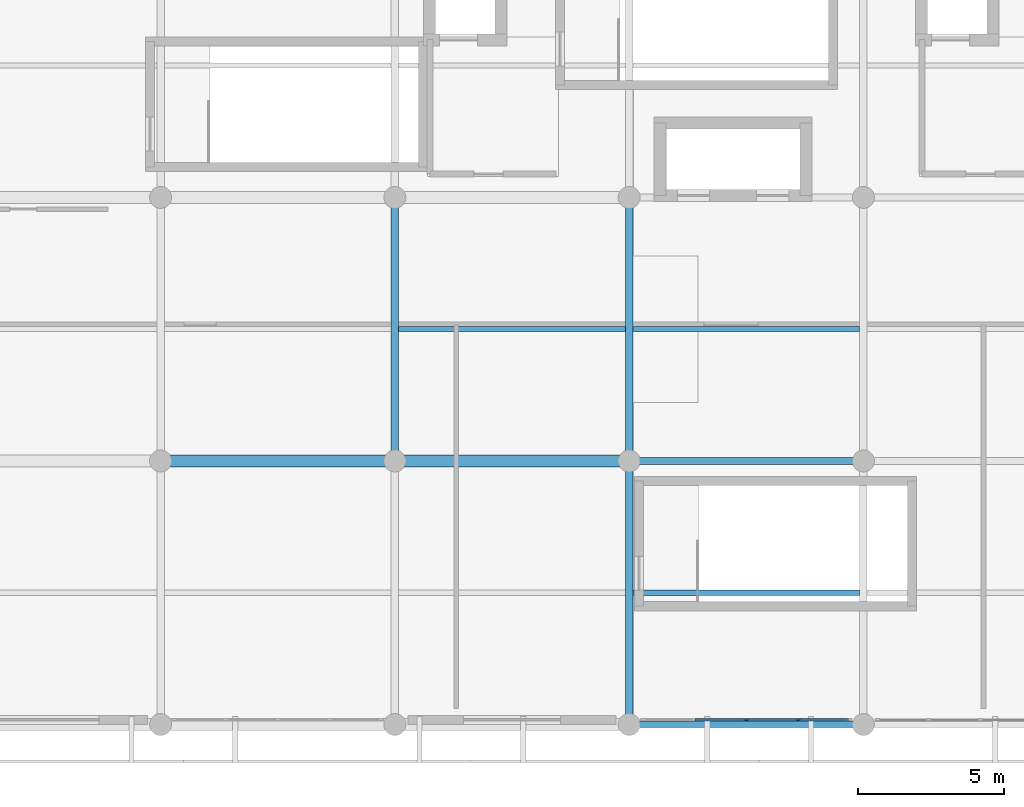
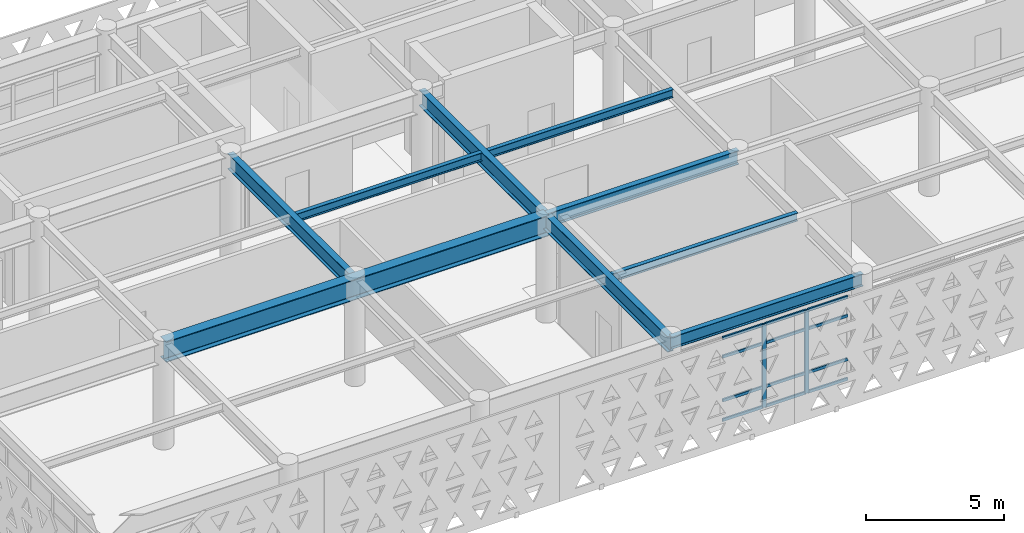
# One storey, part 4 of 26: 14 members, 9 beams, 1 element without a shape of its own.
"""IFC4 building model written with IfcOpenShell, lengths in metres."""

from ifc_helpers import new_model, si_unit, direction, frame, origin, origin_2d, place, context, subcontext, project, spatial, rectangle, i_section, extrude, material, layer, layer_set, material_profile, profile_set, type_object, element, aggregate, save


model = new_model("IFC4")

# Units and contexts
model_context = context("Model", 3, precision=1e-05, world=origin(), true_north=direction((0.0, 1.0)))
body_context = subcontext(model_context, "Body", "Model", "MODEL_VIEW")
ifc_project = project(units=[si_unit("LENGTHUNIT", "METRE"), si_unit("AREAUNIT", "SQUARE_METRE"), si_unit("VOLUMEUNIT", "CUBIC_METRE"), si_unit("PLANEANGLEUNIT", "RADIAN"), si_unit("MASSUNIT", "GRAM", prefix="KILO")], contexts=[model_context])

# Site, building, storey
site_placement = place(None, origin())
site = spatial("IfcSite", under=ifc_project, at=site_placement, CompositionType="ELEMENT")
building_placement = place(site_placement, origin())
building = spatial("IfcBuilding", under=site, at=building_placement, Name="Tlacozan Convention Centre", CompositionType="ELEMENT")
storey_placement = place(building_placement, frame((0.0, 0.0, 21.0)))
storey = spatial("IfcBuildingStorey", under=building, at=storey_placement, Name="L04", CompositionType="ELEMENT", Elevation=21.0)

# Curtain wall, members
ifc_material_1 = material(Name="Dark Bronze Anodised Aluminium", Category="aluminium")
ifc_layer = layer(ifc_material_1, 0.159912109375)
ifc_layer_set = layer_set([ifc_layer], Name="Dark Bronze Anodised Aluminium")
curtain_wall_type = type_object("IfcCurtainWallType", Name="Unitised Congress L04 South CW05", PredefinedType="NOTDEFINED", material=ifc_layer_set)
curtain_wall_placement = place(storey_placement, origin())
curtain_wall = element("IfcCurtainWall", 1, at=curtain_wall_placement, inside=storey, type_object=curtain_wall_type, Name="L04 CW-05 Run 125", PredefinedType="NOTDEFINED")
ifc_material_profile_1 = material_profile(ifc_material_1, rectangle(XDim=0.06494140625, YDim=0.159912109375, at=origin_2d()), Name="ALU 65x160")
ifc_profile_set_1 = profile_set([ifc_material_profile_1], Name="Dark Bronze Anodised Aluminium")
member_type_1 = type_object("IfcMemberType", Name="Curtain Wall Mullion 65x160", PredefinedType="MULLION", material=ifc_profile_set_1)
member_1_placement = place(storey_placement, frame((28.0, 0.159912109375, 0.0), z_axis=(0.0, 0.0, 1.0), x_axis=(0.0, 1.0, 0.0)))
member_1 = element("IfcMember", 2, at=member_1_placement, type_object=member_type_1, Name="CW-05 mullion 3", PredefinedType="MULLION", context=body_context, shape_type="SweptSolid", body=[
    extrude(rectangle(XDim=0.06494140625, YDim=0.159912109375, at=origin_2d()), origin(), (0.0, 0.0, 1.0), 3.679931640625),
])
member_2_placement = place(storey_placement, frame((29.77490234375, 0.159912109375, 0.0), z_axis=(0.0, 0.0, 1.0), x_axis=(0.0, 1.0, 0.0)))
member_2 = element("IfcMember", 3, at=member_2_placement, type_object=member_type_1, Name="CW-05 mullion 4", PredefinedType="MULLION", context=body_context, shape_type="SweptSolid", body=[
    extrude(rectangle(XDim=0.06494140625, YDim=0.159912109375, at=origin_2d()), origin(), (0.0, 0.0, 1.0), 3.679931640625),
])
ifc_material_profile_2 = material_profile(ifc_material_1, rectangle(XDim=0.06494140625, YDim=0.125, at=origin_2d()), Name="ALU 65x125")
ifc_profile_set_2 = profile_set([ifc_material_profile_2], Name="Dark Bronze Anodised Aluminium")
member_type_2 = type_object("IfcMemberType", Name="Curtain Wall Transom 65x125", PredefinedType="USERDEFINED", material=ifc_profile_set_2)
member_3_placement = place(storey_placement, frame((26.257568359375, 0.159912109375, 0.032470703125), z_axis=(1.0, 0.0, 0.0), x_axis=(0.0, 1.0, 0.0)))
member_3 = element("IfcMember", 4, at=member_3_placement, type_object=member_type_2, Name="CW-05 transom 2.1", ObjectType="TRANSOM", PredefinedType="USERDEFINED", context=body_context, shape_type="SweptSolid", body=[
    extrude(rectangle(XDim=0.06494140625, YDim=0.125, at=origin_2d()), origin(), (0.0, 0.0, 1.0), 1.7099609375),
])
member_4_placement = place(storey_placement, frame((26.257568359375, 0.159912109375, 0.89990234375), z_axis=(1.0, 0.0, 0.0), x_axis=(0.0, 1.0, 0.0)))
member_4 = element("IfcMember", 5, at=member_4_placement, type_object=member_type_2, Name="CW-05 transom 2.2", ObjectType="TRANSOM", PredefinedType="USERDEFINED", context=body_context, shape_type="SweptSolid", body=[
    extrude(rectangle(XDim=0.06494140625, YDim=0.125, at=origin_2d()), origin(), (0.0, 0.0, 1.0), 1.7099609375),
])
member_5_placement = place(storey_placement, frame((26.257568359375, 0.159912109375, 2.830078125), z_axis=(1.0, 0.0, 0.0), x_axis=(0.0, 1.0, 0.0)))
member_5 = element("IfcMember", 6, at=member_5_placement, type_object=member_type_2, Name="CW-05 transom 2.3", ObjectType="TRANSOM", PredefinedType="USERDEFINED", context=body_context, shape_type="SweptSolid", body=[
    extrude(rectangle(XDim=0.06494140625, YDim=0.125, at=origin_2d()), origin(), (0.0, 0.0, 1.0), 1.7099609375),
])
member_6_placement = place(storey_placement, frame((26.257568359375, 0.159912109375, 3.6474609375), z_axis=(1.0, 0.0, 0.0), x_axis=(0.0, 1.0, 0.0)))
member_6 = element("IfcMember", 7, at=member_6_placement, type_object=member_type_2, Name="CW-05 transom 2.4", ObjectType="TRANSOM", PredefinedType="USERDEFINED", context=body_context, shape_type="SweptSolid", body=[
    extrude(rectangle(XDim=0.06494140625, YDim=0.125, at=origin_2d()), origin(), (0.0, 0.0, 1.0), 1.7099609375),
])
member_7_placement = place(storey_placement, frame((28.032470703125, 0.159912109375, 0.032470703125), z_axis=(1.0, 0.0, 0.0), x_axis=(0.0, 1.0, 0.0)))
member_7 = element("IfcMember", 8, at=member_7_placement, type_object=member_type_2, Name="CW-05 transom 3.1", ObjectType="TRANSOM", PredefinedType="USERDEFINED", context=body_context, shape_type="SweptSolid", body=[
    extrude(rectangle(XDim=0.06494140625, YDim=0.125, at=origin_2d()), origin(), (0.0, 0.0, 1.0), 1.7099609375),
])
member_8_placement = place(storey_placement, frame((28.032470703125, 0.159912109375, 0.89990234375), z_axis=(1.0, 0.0, 0.0), x_axis=(0.0, 1.0, 0.0)))
member_8 = element("IfcMember", 9, at=member_8_placement, type_object=member_type_2, Name="CW-05 transom 3.2", ObjectType="TRANSOM", PredefinedType="USERDEFINED", context=body_context, shape_type="SweptSolid", body=[
    extrude(rectangle(XDim=0.06494140625, YDim=0.125, at=origin_2d()), origin(), (0.0, 0.0, 1.0), 1.7099609375),
])
member_9_placement = place(storey_placement, frame((28.032470703125, 0.159912109375, 2.830078125), z_axis=(1.0, 0.0, 0.0), x_axis=(0.0, 1.0, 0.0)))
member_9 = element("IfcMember", 10, at=member_9_placement, type_object=member_type_2, Name="CW-05 transom 3.3", ObjectType="TRANSOM", PredefinedType="USERDEFINED", context=body_context, shape_type="SweptSolid", body=[
    extrude(rectangle(XDim=0.06494140625, YDim=0.125, at=origin_2d()), origin(), (0.0, 0.0, 1.0), 1.7099609375),
])
member_10_placement = place(storey_placement, frame((28.032470703125, 0.159912109375, 3.6474609375), z_axis=(1.0, 0.0, 0.0), x_axis=(0.0, 1.0, 0.0)))
member_10 = element("IfcMember", 11, at=member_10_placement, type_object=member_type_2, Name="CW-05 transom 3.4", ObjectType="TRANSOM", PredefinedType="USERDEFINED", context=body_context, shape_type="SweptSolid", body=[
    extrude(rectangle(XDim=0.06494140625, YDim=0.125, at=origin_2d()), origin(), (0.0, 0.0, 1.0), 1.7099609375),
])
member_11_placement = place(storey_placement, frame((29.8076171875, 0.159912109375, 0.032470703125), z_axis=(1.0, 0.0, 0.0), x_axis=(0.0, 1.0, 0.0)))
member_11 = element("IfcMember", 12, at=member_11_placement, type_object=member_type_2, Name="CW-05 transom 4.1", ObjectType="TRANSOM", PredefinedType="USERDEFINED", context=body_context, shape_type="SweptSolid", body=[
    extrude(rectangle(XDim=0.06494140625, YDim=0.125, at=origin_2d()), origin(), (0.0, 0.0, 1.0), 1.677490234375),
])
member_12_placement = place(storey_placement, frame((29.8076171875, 0.159912109375, 0.89990234375), z_axis=(1.0, 0.0, 0.0), x_axis=(0.0, 1.0, 0.0)))
member_12 = element("IfcMember", 13, at=member_12_placement, type_object=member_type_2, Name="CW-05 transom 4.2", ObjectType="TRANSOM", PredefinedType="USERDEFINED", context=body_context, shape_type="SweptSolid", body=[
    extrude(rectangle(XDim=0.06494140625, YDim=0.125, at=origin_2d()), origin(), (0.0, 0.0, 1.0), 1.677490234375),
])
member_13_placement = place(storey_placement, frame((29.8076171875, 0.159912109375, 2.830078125), z_axis=(1.0, 0.0, 0.0), x_axis=(0.0, 1.0, 0.0)))
member_13 = element("IfcMember", 14, at=member_13_placement, type_object=member_type_2, Name="CW-05 transom 4.3", ObjectType="TRANSOM", PredefinedType="USERDEFINED", context=body_context, shape_type="SweptSolid", body=[
    extrude(rectangle(XDim=0.06494140625, YDim=0.125, at=origin_2d()), origin(), (0.0, 0.0, 1.0), 1.677490234375),
])
member_14_placement = place(storey_placement, frame((29.8076171875, 0.159912109375, 3.6474609375), z_axis=(1.0, 0.0, 0.0), x_axis=(0.0, 1.0, 0.0)))
member_14 = element("IfcMember", 15, at=member_14_placement, type_object=member_type_2, Name="CW-05 transom 4.4", ObjectType="TRANSOM", PredefinedType="USERDEFINED", context=body_context, shape_type="SweptSolid", body=[
    extrude(rectangle(XDim=0.06494140625, YDim=0.125, at=origin_2d()), origin(), (0.0, 0.0, 1.0), 1.677490234375),
])
aggregate(curtain_wall, [member_1, member_2, member_3, member_4, member_5, member_6, member_7, member_8, member_9, member_10, member_11, member_12, member_13, member_14])

# Beams
ifc_material_2 = material(Name="Steel ASTM A992 Grade 50", Category="steel")
ifc_material_profile_3 = material_profile(ifc_material_2, i_section(OverallWidth=0.22900390625, OverallDepth=0.612060546875, WebThickness=0.011962890625, FlangeThickness=0.01953125, FilletRadius=0.012939453125, at=origin_2d()), Name="IR 610x125.0")
ifc_profile_set_3 = profile_set([ifc_material_profile_3], Name="Steel ASTM A992 Grade 50")
beam_type_1 = type_object("IfcBeamType", Name="Floor Beam IR 610x125", PredefinedType="BEAM", material=ifc_profile_set_3)
beam_1_placement = place(storey_placement, frame((24.0, 9.0, 4.333984375), z_axis=(1.0, 0.0, 0.0), x_axis=(0.0, 1.0, 0.0)))
element("IfcBeam", 16, at=beam_1_placement, inside=storey, type_object=beam_type_1, Name="L04 Floor Beam IR 610x125 698", PredefinedType="BEAM", context=body_context, shape_type="SweptSolid", body=[
    extrude(i_section(OverallWidth=0.22900390625, OverallDepth=0.612060546875, WebThickness=0.011962890625, FlangeThickness=0.01953125, FilletRadius=0.012939453125, at=origin_2d()), origin(), (0.0, 0.0, 1.0), 8.0),
])
ifc_material_profile_4 = material_profile(ifc_material_2, i_section(OverallWidth=0.256103515625, OverallDepth=0.693115234375, WebThickness=0.014404296875, FlangeThickness=0.023681640625, FilletRadius=0.014892578125, at=origin_2d()), Name="IR 686x170.0")
ifc_profile_set_4 = profile_set([ifc_material_profile_4], Name="Steel ASTM A992 Grade 50")
beam_type_2 = type_object("IfcBeamType", Name="Girder Steel IR 686x170", PredefinedType="BEAM", material=ifc_profile_set_4)
for number, where, z_axis, x_axis, name in (
    (17, (16.0, 9.0, 4.29345703125), (0.0, 1.0, 0.0), (-1.0, 0.0, 0.0), "L04 Girder Steel IR 686x170 654"),
    (18, (24.0, 0.0, 4.29345703125), (0.0, 1.0, 0.0), (-1.0, 0.0, 0.0), "L04 Girder Steel IR 686x170 656"),
    (19, (24.0, 9.0, 4.29345703125), (0.0, 1.0, 0.0), (-1.0, 0.0, 0.0), "L04 Girder Steel IR 686x170 657"),
):
    element("IfcBeam", number, at=place(storey_placement, frame(where, z_axis=z_axis, x_axis=x_axis)), inside=storey, type_object=beam_type_2, Name=name, PredefinedType="BEAM", context=body_context, shape_type="SweptSolid", body=[
        extrude(i_section(OverallWidth=0.256103515625, OverallDepth=0.693115234375, WebThickness=0.014404296875, FlangeThickness=0.023681640625, FilletRadius=0.014892578125, at=origin_2d()), origin(), (0.0, 0.0, 1.0), 9.0),
    ])
ifc_material_profile_5 = material_profile(ifc_material_2, i_section(OverallWidth=0.2109375, OverallDepth=0.5390625, WebThickness=0.01171875, FlangeThickness=0.018798828125, FilletRadius=0.012939453125, at=origin_2d()), Name="IR 533x109.0")
ifc_profile_set_5 = profile_set([ifc_material_profile_5], Name="Steel ASTM A992 Grade 50")
beam_type_3 = type_object("IfcBeamType", Name="Perimeter Spandrel IR 533x109", PredefinedType="SPANDREL", material=ifc_profile_set_5)
beam_2_placement = place(storey_placement, frame((24.0, 0.0, 4.37060546875), z_axis=(1.0, 0.0, 0.0), x_axis=(0.0, 1.0, 0.0)))
element("IfcBeam", 20, at=beam_2_placement, inside=storey, type_object=beam_type_3, Name="L04 Perimeter Spandrel IR 533x109 697", PredefinedType="SPANDREL", context=body_context, shape_type="SweptSolid", body=[
    extrude(i_section(OverallWidth=0.2109375, OverallDepth=0.5390625, WebThickness=0.01171875, FlangeThickness=0.018798828125, FilletRadius=0.012939453125, at=origin_2d()), origin(), (0.0, 0.0, 1.0), 8.0),
])
ifc_material_profile_6 = material_profile(ifc_material_2, i_section(OverallWidth=0.173095703125, OverallDepth=0.364013671875, WebThickness=0.009033203125, FlangeThickness=0.015625, FilletRadius=0.010009765625, at=origin_2d()), Name="IR 356x67.1")
ifc_profile_set_6 = profile_set([ifc_material_profile_6], Name="Steel ASTM A992 Grade 50")
beam_type_4 = type_object("IfcBeamType", Name="Secondary Joist IR 356x67.1", PredefinedType="JOIST", material=ifc_profile_set_6)
for number, where, z_axis, x_axis, name in (
    (21, (16.1259765625, 13.5, 4.4580078125), (1.0, 0.0, 0.0), (0.0, 1.0, 0.0), "L04 Secondary Joist IR 356x67.1 740"),
    (22, (24.1259765625, 4.5, 4.4580078125), (1.0, 0.0, 0.0), (0.0, 1.0, 0.0), "L04 Secondary Joist IR 356x67.1 742"),
    (23, (24.1259765625, 13.5, 4.4580078125), (1.0, 0.0, 0.0), (0.0, 1.0, 0.0), "L04 Secondary Joist IR 356x67.1 743"),
):
    element("IfcBeam", number, at=place(storey_placement, frame(where, z_axis=z_axis, x_axis=x_axis)), inside=storey, type_object=beam_type_4, Name=name, PredefinedType="JOIST", context=body_context, shape_type="SweptSolid", body=[
        extrude(i_section(OverallWidth=0.173095703125, OverallDepth=0.364013671875, WebThickness=0.009033203125, FlangeThickness=0.015625, FilletRadius=0.010009765625, at=origin_2d()), origin(), (0.0, 0.0, 1.0), 7.748046875),
    ])
ifc_material_profile_7 = material_profile(ifc_material_2, i_section(OverallWidth=0.41796875, OverallDepth=0.912109375, WebThickness=0.019287109375, FlangeThickness=0.031982421875, FilletRadius=0.02001953125, at=origin_2d()), Name="IR 914x342.0")
ifc_profile_set_7 = profile_set([ifc_material_profile_7], Name="Steel ASTM A992 Grade 50")
beam_type_5 = type_object("IfcBeamType", Name="Transfer Girder IR 914x342", PredefinedType="BEAM", material=ifc_profile_set_7)
beam_3_placement = place(storey_placement, frame((24.0, 9.0, 4.18408203125), z_axis=(-1.0, 0.0, 0.0), x_axis=(0.0, -1.0, 0.0)))
element("IfcBeam", 24, at=beam_3_placement, inside=storey, type_object=beam_type_5, Name="L04 Transfer Girder IR 914x342 691", PredefinedType="BEAM", context=body_context, shape_type="SweptSolid", body=[
    extrude(i_section(OverallWidth=0.41796875, OverallDepth=0.912109375, WebThickness=0.019287109375, FlangeThickness=0.031982421875, FilletRadius=0.02001953125, at=origin_2d()), origin(), (0.0, 0.0, 1.0), 16.0),
])

save(model, "model.ifc")
